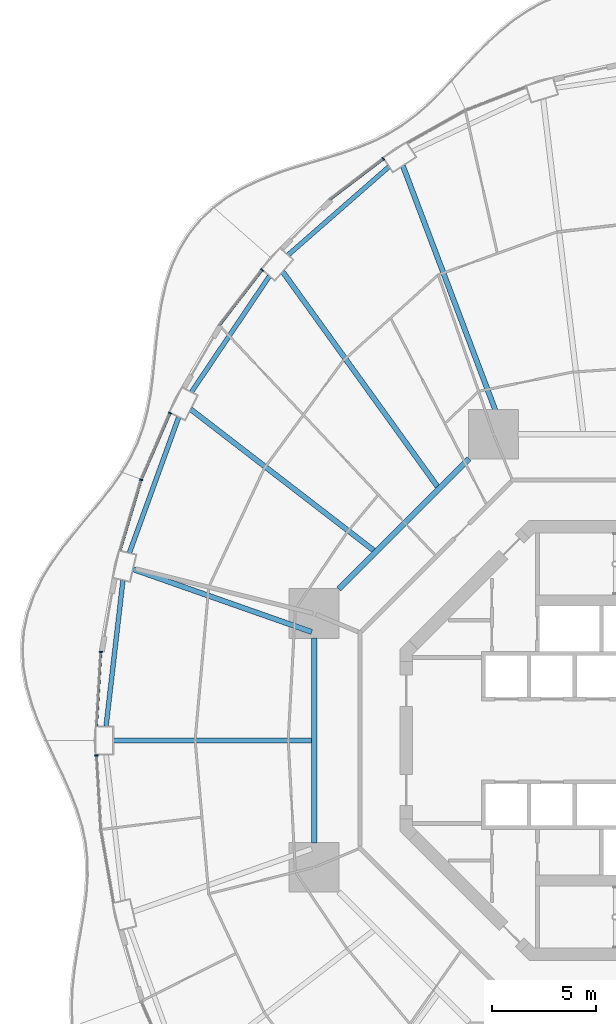
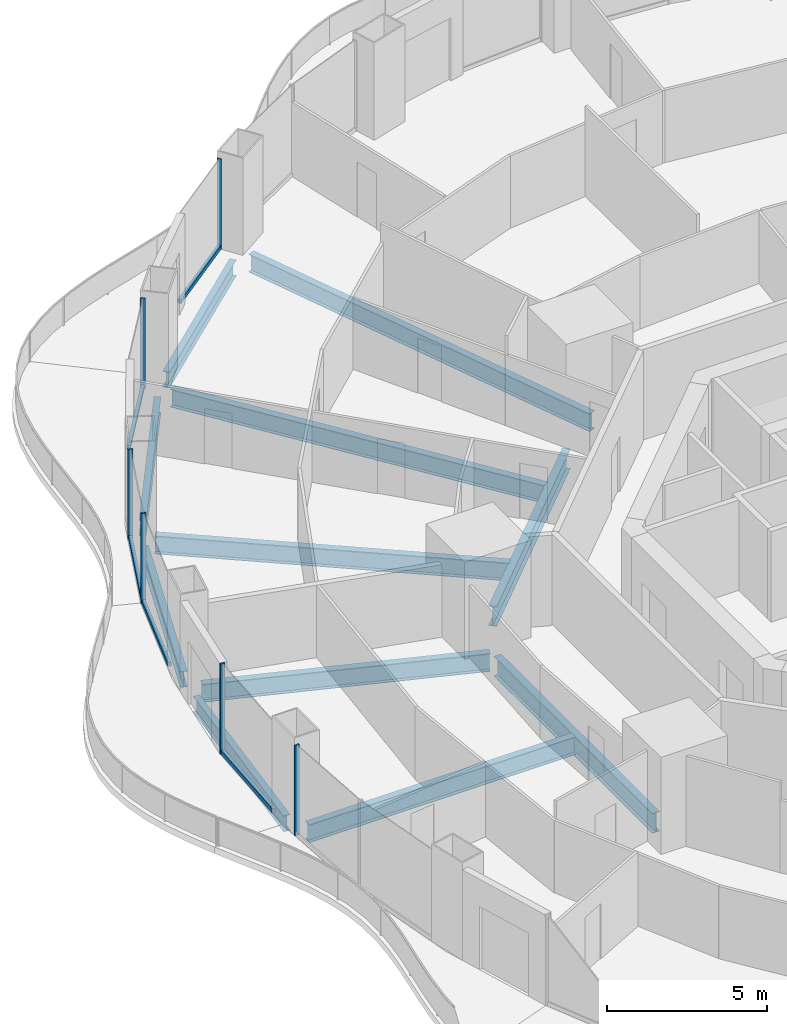
# One storey, part 7 of 22: 11 beams, 11 members, 6 elements without a shape of their own.
"""IFC4 building model written with IfcOpenShell, lengths in metres."""

import ifcopenshell
import ifcopenshell.guid

model = None  # the IFC model being written
_history = None  # IfcOwnerHistory: only IFC2X3 demands one
_inside = {}  # id of a spatial element -> (the spatial element, [elements in it])
_under = {}  # id of a project, library or spatial element -> (it, [spatial elements below it])
_declared = {}  # id of a project -> (the project, [libraries it declares])
_typed = {}  # id of a type object -> (the type object, [elements of that type])
_made_of = {}  # id of a material, layer set ... -> (it, [elements and type objects made of it])


def new_model(schema):
    """Start an empty IFC model of exactly this schema.

    Asked for "IFC4X3", IfcOpenShell would pick the latest addendum, in which some entities
    have other attributes; the version numbers below select the first issue.
    IFC2X3 requires an IfcOwnerHistory on every rooted entity: one is made here for all.
    """
    global model, _history
    if schema == "IFC4X3":
        model = ifcopenshell.file(schema_version=(4, 3, 0, 0))
    else:
        model = ifcopenshell.file(schema=schema)
    _inside.clear()
    _under.clear()
    _declared.clear()
    _typed.clear()
    _made_of.clear()
    _history = None
    if model.schema == "IFC2X3":
        org = make("IfcOrganization", Name="unknown")
        user = make(
            "IfcPersonAndOrganization",
            ThePerson=make("IfcPerson", FamilyName="unknown"),
            TheOrganization=org,
        )
        app = make(
            "IfcApplication",
            ApplicationDeveloper=org,
            Version="unknown",
            ApplicationFullName="unknown",
            ApplicationIdentifier="unknown",
        )
        _history = make(
            "IfcOwnerHistory",
            OwningUser=user,
            OwningApplication=app,
            ChangeAction="ADDED",
            CreationDate=0,
        )
    return model


def make(cls, **values):
    """One entity of the class cls with the attributes given. An attribute that is None is left unset."""
    return model.create_entity(
        cls, **{name: value for name, value in values.items() if value is not None}
    )


def rooted(cls, **values):
    """An entity with a GlobalId (a new one), such as an element, a storey or a relation."""
    return make(cls, GlobalId=ifcopenshell.guid.new(), OwnerHistory=_history, **values)


def si_unit(unit_type, name, prefix=None):
    """IfcSIUnit, for example si_unit("LENGTHUNIT", "METRE", prefix="MILLI")."""
    return make("IfcSIUnit", UnitType=unit_type, Prefix=prefix, Name=name)


def assignment(units):
    """IfcUnitAssignment: the units of a project."""
    return None if units is None else make("IfcUnitAssignment", Units=units)


def point(xyz):
    """IfcCartesianPoint."""
    return None if xyz is None else make("IfcCartesianPoint", Coordinates=xyz)


def direction(xyz):
    """IfcDirection."""
    return None if xyz is None else make("IfcDirection", DirectionRatios=xyz)


def frame(location, z_axis=None, x_axis=None):
    """IfcAxis2Placement3D, a coordinate frame: its origin and axes. An axis left out is left unset."""
    return make(
        "IfcAxis2Placement3D",
        Location=point(location),
        Axis=direction(z_axis),
        RefDirection=direction(x_axis),
    )


def frame_2d(location, x_axis=None):
    """IfcAxis2Placement2D, a coordinate frame in the plane: its origin and x axis."""
    return make(
        "IfcAxis2Placement2D", Location=point(location), RefDirection=direction(x_axis)
    )


def origin():
    """The frame at (0, 0, 0) with its axes left unset."""
    return frame((0.0, 0.0, 0.0))


def origin_2d():
    """The frame at (0, 0) in the plane with its x axis left unset."""
    return frame_2d((0.0, 0.0))


def place(relative_to, where):
    """IfcLocalPlacement: puts the frame where relative to a parent placement (None: the world)."""
    return make(
        "IfcLocalPlacement", PlacementRelTo=relative_to, RelativePlacement=where
    )


def context(
    kind, dimensions, precision=None, world=None, true_north=None, identifier=None
):
    """IfcGeometricRepresentationContext, for example the 3D "Model" context."""
    return make(
        "IfcGeometricRepresentationContext",
        ContextIdentifier=identifier,
        ContextType=kind,
        CoordinateSpaceDimension=dimensions,
        Precision=precision,
        WorldCoordinateSystem=world,
        TrueNorth=true_north,
    )


def subcontext(parent, identifier, kind, view, scale=None):
    """IfcGeometricRepresentationSubContext, for example "Body" below "Model"."""
    return make(
        "IfcGeometricRepresentationSubContext",
        ContextIdentifier=identifier,
        ContextType=kind,
        ParentContext=parent,
        TargetScale=scale,
        TargetView=view,
    )


def project(units=None, contexts=None):
    """IfcProject with its units and contexts."""
    return rooted(
        "IfcProject",
        Name="project",
        RepresentationContexts=contexts,
        UnitsInContext=assignment(units),
    )


def spatial(cls, under=None, at=None, **own):
    """A site, building, storey or space (cls), placed at a placement, below another one or the project."""
    s = rooted(cls, ObjectPlacement=at, **own)
    if under is not None:
        _under.setdefault(under.id(), (under, []))[1].append(s)
    return s


def profile(cls, at=None, kind="AREA", **sizes):
    """A parametric profile (cls). Its sizes go by their IFC names, for example OverallWidth=200.0."""
    return make(cls, ProfileType=kind, Position=at, **sizes)


def rectangle(**sizes):
    """IfcRectangleProfileDef."""
    return profile("IfcRectangleProfileDef", **sizes)


def i_section(**sizes):
    """IfcIShapeProfileDef."""
    return profile("IfcIShapeProfileDef", **sizes)


def extrude(swept, where, along, depth):
    """IfcExtrudedAreaSolid: the profile swept, set in the frame where, extruded along a direction by depth."""
    return make(
        "IfcExtrudedAreaSolid",
        SweptArea=swept,
        Position=where,
        ExtrudedDirection=direction(along),
        Depth=depth,
    )


def shape(context_of_items, identifier, shape_type, items):
    """IfcShapeRepresentation: the items that make up one representation, for example the "Body"."""
    return make(
        "IfcShapeRepresentation",
        ContextOfItems=context_of_items,
        RepresentationIdentifier=identifier,
        RepresentationType=shape_type,
        Items=items,
    )


def material(Name=None, Category=None):
    """IfcMaterial."""
    return make("IfcMaterial", Name=Name, Category=Category)


def layer(
    of_material, thickness, ventilated=None, Name=None, Category=None, Priority=None
):
    """IfcMaterialLayer: one layer of a wall or slab, of a material (None: an air gap)."""
    return make(
        "IfcMaterialLayer",
        Material=of_material,
        LayerThickness=thickness,
        IsVentilated=ventilated,
        Name=Name,
        Category=Category,
        Priority=Priority,
    )


def layer_set(layers, Name=None):
    """IfcMaterialLayerSet."""
    return make("IfcMaterialLayerSet", MaterialLayers=layers, LayerSetName=Name)


def material_profile(
    of_material, cross_section, Name=None, Category=None, Priority=None
):
    """IfcMaterialProfile: a cross section and its material."""
    return make(
        "IfcMaterialProfile",
        Name=Name,
        Material=of_material,
        Profile=cross_section,
        Priority=Priority,
        Category=Category,
    )


def profile_set(profiles, Name=None, composite=None):
    """IfcMaterialProfileSet."""
    return make(
        "IfcMaterialProfileSet",
        Name=Name,
        MaterialProfiles=profiles,
        CompositeProfile=composite,
    )


def made_of(thing, what):
    """Note that an element or type object is made of a material, layer set ...; save() writes the relation."""
    if what is not None:
        _made_of.setdefault(what.id(), (what, []))[1].append(thing)
    return thing


def type_object(cls, material=None, **own):
    """A type object (cls), such as IfcWallType, which elements share."""
    return made_of(rooted(cls, **own), material)


def element(
    cls,
    number,
    at=None,
    inside=None,
    cuts=None,
    type_object=None,
    material=None,
    context=None,
    identifier="Body",
    shape_type=None,
    held_by="IfcProductDefinitionShape",
    body=None,
    shapes=None,
    **own,
):
    """One element of the class cls, such as IfcWall. Its Tag is "e" and its number.

    at: its placement. inside: the storey or other place that contains it. cuts: it is an
    opening in that element (IfcRelVoidsElement). A single representation is given by context,
    identifier, shape_type and body (its items); several are given by shapes. held_by: the class
    of the entity that holds the representations. save() writes the other relations.
    """
    e = rooted(cls, Tag="e%d" % number, ObjectPlacement=at, **own)
    if body is not None:
        shapes = [shape(context, identifier, shape_type, body)]
    if shapes is not None:
        e.Representation = make(held_by, Representations=shapes)
    if inside is not None:
        _inside.setdefault(inside.id(), (inside, []))[1].append(e)
    if cuts is not None:
        rooted(
            "IfcRelVoidsElement", RelatingBuildingElement=cuts, RelatedOpeningElement=e
        )
    if type_object is not None:
        _typed.setdefault(type_object.id(), (type_object, []))[1].append(e)
    return made_of(e, material)


def aggregate(whole, parts):
    """IfcRelAggregates: a whole, such as a stair, and the parts it consists of."""
    return rooted("IfcRelAggregates", RelatingObject=whole, RelatedObjects=parts)


def save(model, path):
    """Write the relations noted so far, then the file.

    IfcRelAggregates (storeys below a building ...), IfcRelContainedInSpatialStructure (elements
    in a storey), IfcRelDefinesByType, IfcRelAssociatesMaterial and IfcRelDeclares: one each for
    every whole, place, type object, material and project.
    """
    for whole, parts in _under.values():
        aggregate(whole, parts)
    for where, things in _inside.values():
        rooted(
            "IfcRelContainedInSpatialStructure",
            RelatedElements=things,
            RelatingStructure=where,
        )
    for kind, things in _typed.values():
        rooted("IfcRelDefinesByType", RelatedObjects=things, RelatingType=kind)
    for what, things in _made_of.values():
        rooted("IfcRelAssociatesMaterial", RelatedObjects=things, RelatingMaterial=what)
    for by, libraries in _declared.values():
        rooted("IfcRelDeclares", RelatingContext=by, RelatedDefinitions=libraries)
    model.write(path)


model = new_model("IFC4")

# Units and contexts
model_context = context("Model", 3, precision=1e-05, world=origin(), true_north=direction((0.0, 1.0)))
body_context = subcontext(model_context, "Body", "Model", "MODEL_VIEW")
ifc_project = project(units=[si_unit("LENGTHUNIT", "METRE"), si_unit("AREAUNIT", "SQUARE_METRE"), si_unit("VOLUMEUNIT", "CUBIC_METRE"), si_unit("PLANEANGLEUNIT", "RADIAN"), si_unit("MASSUNIT", "GRAM", prefix="KILO")], contexts=[model_context])

# Site, building, storey
site_placement = place(None, origin())
site = spatial("IfcSite", under=ifc_project, at=site_placement, CompositionType="ELEMENT")
building_placement = place(site_placement, origin())
building = spatial("IfcBuilding", under=site, at=building_placement, Name="Nagisa Residences", CompositionType="ELEMENT")
storey_placement = place(building_placement, frame((0.0, 0.0, 38.10009765625)))
storey = spatial("IfcBuildingStorey", under=building, at=storey_placement, Name="L08", CompositionType="ELEMENT", Elevation=38.10009765625)

# Curtain wall, member
ifc_material_1 = material(Name="Concrete-coloured aluminium curtain wall system", Category="concrete")
ifc_layer = layer(ifc_material_1, 0.159912109375)
ifc_layer_set = layer_set([ifc_layer], Name="CW1 CURTAIN WALL")
curtain_wall_type = type_object("IfcCurtainWallType", Name="CW1 CURTAIN WALL", PredefinedType="NOTDEFINED", material=ifc_layer_set)
curtain_wall_1_placement = place(storey_placement, origin())
curtain_wall_1 = element("IfcCurtainWall", 1, at=curtain_wall_1_placement, inside=storey, type_object=curtain_wall_type, Name="cw:CW1:L08:16", PredefinedType="NOTDEFINED")
ifc_material_2 = material(Name="Concrete-coloured aluminium", Category="concrete")
ifc_material_profile_1 = material_profile(ifc_material_2, rectangle(XDim=0.159912109375, YDim=0.06005859375, at=origin_2d()), Name="CW1 MULLION 160x60")
ifc_profile_set_1 = profile_set([ifc_material_profile_1], Name="Concrete-coloured aluminium")
member_type_1 = type_object("IfcMemberType", Name="CW1 MULLION 160x60", PredefinedType="MULLION", material=ifc_profile_set_1)
member_1_placement = place(storey_placement, frame((-11.4326171875, 28.0732421875, 0.0), z_axis=(0.0, 0.0, 1.0), x_axis=(0.605255421737, -0.79603132756, 0.0)))
member_1 = element("IfcMember", 2, at=member_1_placement, type_object=member_type_1, Name="CW1 mullion", PredefinedType="MULLION", context=body_context, shape_type="SweptSolid", body=[
    extrude(rectangle(XDim=0.159912109375, YDim=0.06005859375, at=origin_2d()), origin(), (0.0, 0.0, 1.0), 3.43994140625),
])

curtain_wall_2_placement = place(storey_placement, origin())
curtain_wall_2 = element("IfcCurtainWall", 3, at=curtain_wall_2_placement, inside=storey, type_object=curtain_wall_type, Name="cw:CW1:L08:18", PredefinedType="NOTDEFINED")
member_2_placement = place(storey_placement, frame((-17.288330078125, 22.70751953125, 0.0), z_axis=(0.0, 0.0, 1.0), x_axis=(0.792070340816, -0.610429828235, 0.0)))
member_2 = element("IfcMember", 4, at=member_2_placement, type_object=member_type_1, Name="CW1 mullion", PredefinedType="MULLION", context=body_context, shape_type="SweptSolid", body=[
    extrude(rectangle(XDim=0.159912109375, YDim=0.06005859375, at=origin_2d()), origin(), (0.0, 0.0, 1.0), 3.43994140625),
])

curtain_wall_3_placement = place(storey_placement, origin())
curtain_wall_3 = element("IfcCurtainWall", 5, at=curtain_wall_3_placement, inside=storey, type_object=curtain_wall_type, Name="cw:CW1:L08:20", PredefinedType="NOTDEFINED")
member_3_placement = place(storey_placement, frame((-21.731689453125, 15.79833984375, 0.0), z_axis=(0.0, 0.0, 1.0), x_axis=(0.917543276295, -0.397635934147, 0.0)))
member_3 = element("IfcMember", 6, at=member_3_placement, type_object=member_type_1, Name="CW1 mullion", PredefinedType="MULLION", context=body_context, shape_type="SweptSolid", body=[
    extrude(rectangle(XDim=0.159912109375, YDim=0.06005859375, at=origin_2d()), origin(), (0.0, 0.0, 1.0), 3.43994140625),
])

curtain_wall_4_placement = place(storey_placement, origin())
curtain_wall_4 = element("IfcCurtainWall", 7, at=curtain_wall_4_placement, inside=storey, type_object=curtain_wall_type, Name="cw:CW1:L08:21", PredefinedType="NOTDEFINED")
member_4_placement = place(storey_placement, frame((-23.12451171875, 12.576904296875, 0.0), z_axis=(0.0, 0.0, 1.0), x_axis=(0.958271310082, -0.285860274038, 0.0)))
member_4 = element("IfcMember", 8, at=member_4_placement, type_object=member_type_1, Name="CW1 mullion", PredefinedType="MULLION", context=body_context, shape_type="SweptSolid", body=[
    extrude(rectangle(XDim=0.159912109375, YDim=0.06005859375, at=origin_2d()), origin(), (0.0, 0.0, 1.0), 3.43994140625),
])

curtain_wall_5_placement = place(storey_placement, origin())
curtain_wall_5 = element("IfcCurtainWall", 9, at=curtain_wall_5_placement, inside=storey, type_object=curtain_wall_type, Name="cw:CW1:L08:23", PredefinedType="NOTDEFINED")
member_5_placement = place(storey_placement, frame((-25.07373046875, 4.272705078125, 0.0), z_axis=(0.0, 0.0, 1.0), x_axis=(0.998345305184, -0.057503492216, 0.0)))
member_5 = element("IfcMember", 10, at=member_5_placement, type_object=member_type_1, Name="CW1 mullion", PredefinedType="MULLION", context=body_context, shape_type="SweptSolid", body=[
    extrude(rectangle(XDim=0.159912109375, YDim=0.06005859375, at=origin_2d()), origin(), (0.0, 0.0, 1.0), 3.43994140625),
])

curtain_wall_6_placement = place(storey_placement, origin())
curtain_wall_6 = element("IfcCurtainWall", 11, at=curtain_wall_6_placement, inside=storey, type_object=curtain_wall_type, Name="cw:CW1:L08:24", PredefinedType="NOTDEFINED")
member_6_placement = place(storey_placement, frame((-25.278076171875, -0.72412109375, 0.0), z_axis=(0.0, 0.0, 1.0), x_axis=(0.998345305184, 0.057503492216, 0.0)))
member_6 = element("IfcMember", 12, at=member_6_placement, type_object=member_type_1, Name="CW1 mullion", PredefinedType="MULLION", context=body_context, shape_type="SweptSolid", body=[
    extrude(rectangle(XDim=0.159912109375, YDim=0.06005859375, at=origin_2d()), origin(), (0.0, 0.0, 1.0), 3.43994140625),
])
aggregate(curtain_wall_6, [member_6])

# Member
ifc_material_3 = material(Name="Concrete-coloured aluminium", Category="concrete")
ifc_material_profile_2 = material_profile(ifc_material_3, rectangle(XDim=0.1201171875, YDim=0.14990234375, at=origin_2d()), Name="CW1 TRANSOM 120x150")
ifc_profile_set_2 = profile_set([ifc_material_profile_2], Name="Concrete-coloured aluminium")
member_type_2 = type_object("IfcMemberType", Name="CW1 TRANSOM 120x150", PredefinedType="USERDEFINED", material=ifc_profile_set_2)
member_7_placement = place(storey_placement, frame((-11.40869140625, 28.091552734375, 0.074951171875), z_axis=(-0.796022293214, -0.605267303517, 0.0), x_axis=(0.605267303517, -0.796022293214, 0.0)))
member_7 = element("IfcMember", 13, at=member_7_placement, type_object=member_type_2, Name="CW1 transom", ObjectType="TRANSOM", PredefinedType="USERDEFINED", context=body_context, shape_type="SweptSolid", body=[
    extrude(rectangle(XDim=0.1201171875, YDim=0.14990234375, at=origin_2d()), origin(), (0.0, 0.0, 1.0), 3.262451171875),
])

aggregate(curtain_wall_1, [member_1, member_7])

member_8_placement = place(storey_placement, frame((-17.27001953125, 22.731201171875, 0.074951171875), z_axis=(-0.610457147657, -0.792049285635, 0.0), x_axis=(0.792049285635, -0.610457147657, 0.0)))
member_8 = element("IfcMember", 14, at=member_8_placement, type_object=member_type_2, Name="CW1 transom", ObjectType="TRANSOM", PredefinedType="USERDEFINED", context=body_context, shape_type="SweptSolid", body=[
    extrude(rectangle(XDim=0.1201171875, YDim=0.14990234375, at=origin_2d()), origin(), (0.0, 0.0, 1.0), 3.3974609375),
])

aggregate(curtain_wall_2, [member_2, member_8])

member_9_placement = place(storey_placement, frame((-21.7197265625, 15.825927734375, 0.074951171875), z_axis=(-0.397624958345, -0.917548032803, 0.0), x_axis=(0.917548032803, -0.397624958345, 0.0)))
member_9 = element("IfcMember", 15, at=member_9_placement, type_object=member_type_2, Name="CW1 transom", ObjectType="TRANSOM", PredefinedType="USERDEFINED", context=body_context, shape_type="SweptSolid", body=[
    extrude(rectangle(XDim=0.1201171875, YDim=0.14990234375, at=origin_2d()), origin(), (0.0, 0.0, 1.0), 3.51953125),
])

aggregate(curtain_wall_3, [member_3, member_9])

member_10_placement = place(storey_placement, frame((-23.115966796875, 12.605712890625, 0.074951171875), z_axis=(-0.285808431121, -0.958286773727, 0.0), x_axis=(0.958286773727, -0.285808431121, 0.0)))
member_10 = element("IfcMember", 16, at=member_10_placement, type_object=member_type_2, Name="CW1 transom", ObjectType="TRANSOM", PredefinedType="USERDEFINED", context=body_context, shape_type="SweptSolid", body=[
    extrude(rectangle(XDim=0.1201171875, YDim=0.14990234375, at=origin_2d()), origin(), (0.0, 0.0, 1.0), 3.5654296875),
])

aggregate(curtain_wall_4, [member_4, member_10])

member_11_placement = place(storey_placement, frame((-25.072021484375, 4.302734375, 0.074951171875), z_axis=(-0.057482603412, -0.998346508135, 0.0), x_axis=(0.998346508135, -0.057482603412, 0.0)))
member_11 = element("IfcMember", 17, at=member_11_placement, type_object=member_type_2, Name="CW1 transom", ObjectType="TRANSOM", PredefinedType="USERDEFINED", context=body_context, shape_type="SweptSolid", body=[
    extrude(rectangle(XDim=0.1201171875, YDim=0.14990234375, at=origin_2d()), origin(), (0.0, 0.0, 1.0), 3.6142578125),
])

aggregate(curtain_wall_5, [member_5, member_11])

# Beams
ifc_material_4 = material(Name="Steel ASTM A572 Gr 50", Category="steel")
ifc_material_profile_3 = material_profile(ifc_material_4, i_section(OverallWidth=0.264892578125, OverallDepth=0.7529296875, WebThickness=0.01318359375, FlangeThickness=0.01708984375, at=origin_2d()), Name="W760x147")
ifc_profile_set_3 = profile_set([ifc_material_profile_3], Name="Steel ASTM A572 Gr 50")
beam_type_1 = type_object("IfcBeamType", Name="Inner ring beam W760x147", PredefinedType="BEAM", material=ifc_profile_set_3)
beam_1_placement = place(storey_placement, frame((-7.308837890625, 13.59619140625, -0.63671875), z_axis=(-0.707106781187, -0.707106781187, 0.0), x_axis=(0.707106781187, -0.707106781187, 0.0)))
element("IfcBeam", 18, at=beam_1_placement, inside=storey, type_object=beam_type_1, Name="beam:L08:ib3", PredefinedType="BEAM", context=body_context, shape_type="SweptSolid", body=[
    extrude(i_section(OverallWidth=0.264892578125, OverallDepth=0.7529296875, WebThickness=0.01318359375, FlangeThickness=0.01708984375, at=origin_2d()), origin(), (0.0, 0.0, 1.0), 8.8916015625),
])
beam_2_placement = place(storey_placement, frame((-14.781982421875, 4.94287109375, -0.63671875), z_axis=(0.0, -1.0, 0.0), x_axis=(1.0, 0.0, 0.0)))
element("IfcBeam", 19, at=beam_2_placement, inside=storey, type_object=beam_type_1, Name="beam:L08:ib4", PredefinedType="BEAM", context=body_context, shape_type="SweptSolid", body=[
    extrude(i_section(OverallWidth=0.264892578125, OverallDepth=0.7529296875, WebThickness=0.01318359375, FlangeThickness=0.01708984375, at=origin_2d()), origin(), (0.0, 0.0, 1.0), 9.8857421875),
])
ifc_material_5 = material(Name="Steel ASTM A572 Gr 50", Category="steel")
ifc_material_profile_4 = material_profile(ifc_material_5, i_section(OverallWidth=0.22802734375, OverallDepth=0.60302734375, WebThickness=0.010498046875, FlangeThickness=0.014892578125, at=origin_2d()), Name="W610x101")
ifc_profile_set_4 = profile_set([ifc_material_profile_4], Name="Steel ASTM A572 Gr 50")
beam_type_2 = type_object("IfcBeamType", Name="Perimeter ring beam W610x101", PredefinedType="BEAM", material=ifc_profile_set_4)
beam_3_placement = place(storey_placement, frame((-11.166748046875, 27.693603515625, -0.5615234375), z_axis=(-0.752574357292, -0.658507279191, 0.0), x_axis=(0.658507279191, -0.752574357292, 0.0)))
element("IfcBeam", 20, at=beam_3_placement, inside=storey, type_object=beam_type_2, Name="beam:L08:pb09", PredefinedType="BEAM", context=body_context, shape_type="SweptSolid", body=[
    extrude(i_section(OverallWidth=0.22802734375, OverallDepth=0.60302734375, WebThickness=0.010498046875, FlangeThickness=0.014892578125, at=origin_2d()), origin(), (0.0, 0.0, 1.0), 6.47021484375),
])
beam_4_placement = place(storey_placement, frame((-16.935302734375, 22.411865234375, -0.5615234375), z_axis=(-0.558296806041, -0.829641293792, 0.0), x_axis=(0.829641293792, -0.558296806041, 0.0)))
element("IfcBeam", 21, at=beam_4_placement, inside=storey, type_object=beam_type_2, Name="beam:L08:pb10", PredefinedType="BEAM", context=body_context, shape_type="SweptSolid", body=[
    extrude(i_section(OverallWidth=0.22802734375, OverallDepth=0.60302734375, WebThickness=0.010498046875, FlangeThickness=0.014892578125, at=origin_2d()), origin(), (0.0, 0.0, 1.0), 6.74169921875),
])
beam_5_placement = place(storey_placement, frame((-21.315673828125, 15.60595703125, -0.5615234375), z_axis=(-0.341411143183, -0.939914055279, 0.0), x_axis=(0.939914055279, -0.341411143183, 0.0)))
element("IfcBeam", 22, at=beam_5_placement, inside=storey, type_object=beam_type_2, Name="beam:L08:pb11", PredefinedType="BEAM", context=body_context, shape_type="SweptSolid", body=[
    extrude(i_section(OverallWidth=0.22802734375, OverallDepth=0.60302734375, WebThickness=0.010498046875, FlangeThickness=0.014892578125, at=origin_2d()), origin(), (0.0, 0.0, 1.0), 6.96923828125),
])
beam_6_placement = place(storey_placement, frame((-24.00732421875, 7.7314453125, -0.5615234375), z_axis=(-0.114707660057, -0.993399291687, 0.0), x_axis=(0.993399291687, -0.114707660057, 0.0)))
element("IfcBeam", 23, at=beam_6_placement, inside=storey, type_object=beam_type_2, Name="beam:L08:pb12", PredefinedType="BEAM", context=body_context, shape_type="SweptSolid", body=[
    extrude(i_section(OverallWidth=0.22802734375, OverallDepth=0.60302734375, WebThickness=0.010498046875, FlangeThickness=0.014892578125, at=origin_2d()), origin(), (0.0, 0.0, 1.0), 7.09814453125),
])
ifc_material_6 = material(Name="Steel ASTM A572 Gr 50", Category="steel")
ifc_material_profile_5 = material_profile(ifc_material_6, i_section(OverallWidth=0.25390625, OverallDepth=0.68408203125, WebThickness=0.012451171875, FlangeThickness=0.018798828125, at=origin_2d()), Name="W690x140")
ifc_profile_set_5 = profile_set([ifc_material_profile_5], Name="Steel ASTM A572 Gr 50")
beam_type_3 = type_object("IfcBeamType", Name="Radial beam W690x140", PredefinedType="BEAM", material=ifc_profile_set_5)
beam_7_placement = place(storey_placement, frame((-10.493896484375, 27.7333984375, -0.60205078125), z_axis=(0.353887892206, -0.935287848606, 0.0), x_axis=(0.935287848606, 0.353887892206, 0.0)))
element("IfcBeam", 24, at=beam_7_placement, inside=storey, type_object=beam_type_3, Name="beam:L08:rb09", PredefinedType="BEAM", context=body_context, shape_type="SweptSolid", body=[
    extrude(i_section(OverallWidth=0.25390625, OverallDepth=0.68408203125, WebThickness=0.012451171875, FlangeThickness=0.018798828125, at=origin_2d()), origin(), (0.0, 0.0, 1.0), 13.725830078125),
])
beam_8_placement = place(storey_placement, frame((-16.29443359375, 22.62255859375, -0.60205078125), z_axis=(0.58445507622, -0.811426068031, 0.0), x_axis=(0.811426068031, 0.58445507622, 0.0)))
element("IfcBeam", 25, at=beam_8_placement, inside=storey, type_object=beam_type_3, Name="beam:L08:rb10", PredefinedType="BEAM", context=body_context, shape_type="SweptSolid", body=[
    extrude(i_section(OverallWidth=0.25390625, OverallDepth=0.68408203125, WebThickness=0.012451171875, FlangeThickness=0.018798828125, at=origin_2d()), origin(), (0.0, 0.0, 1.0), 12.78955078125),
])
beam_9_placement = place(storey_placement, frame((-20.73486328125, 15.982666015625, -0.60205078125), z_axis=(0.792016146736, -0.610500141941, 0.0), x_axis=(0.610500141941, 0.792016146736, 0.0)))
element("IfcBeam", 26, at=beam_9_placement, inside=storey, type_object=beam_type_3, Name="beam:L08:rb11", PredefinedType="BEAM", context=body_context, shape_type="SweptSolid", body=[
    extrude(i_section(OverallWidth=0.25390625, OverallDepth=0.68408203125, WebThickness=0.012451171875, FlangeThickness=0.018798828125, at=origin_2d()), origin(), (0.0, 0.0, 1.0), 11.160888671875),
])
beam_10_placement = place(storey_placement, frame((-23.520751953125, 8.26806640625, -0.60205078125), z_axis=(0.943414535235, -0.331615763659, 0.0), x_axis=(0.331615763659, 0.943414535235, 0.0)))
element("IfcBeam", 27, at=beam_10_placement, inside=storey, type_object=beam_type_3, Name="beam:L08:rb12", PredefinedType="BEAM", context=body_context, shape_type="SweptSolid", body=[
    extrude(i_section(OverallWidth=0.25390625, OverallDepth=0.68408203125, WebThickness=0.012451171875, FlangeThickness=0.018798828125, at=origin_2d()), origin(), (0.0, 0.0, 1.0), 9.142333984375),
])
beam_11_placement = place(storey_placement, frame((-24.469970703125, 0.0, -0.60205078125), z_axis=(1.0, 0.0, 0.0), x_axis=(0.0, 1.0, 0.0)))
element("IfcBeam", 28, at=beam_11_placement, inside=storey, type_object=beam_type_3, Name="beam:L08:rb13", PredefinedType="BEAM", context=body_context, shape_type="SweptSolid", body=[
    extrude(i_section(OverallWidth=0.25390625, OverallDepth=0.68408203125, WebThickness=0.012451171875, FlangeThickness=0.018798828125, at=origin_2d()), origin(), (0.0, 0.0, 1.0), 9.575439453125),
])

save(model, "model.ifc")
